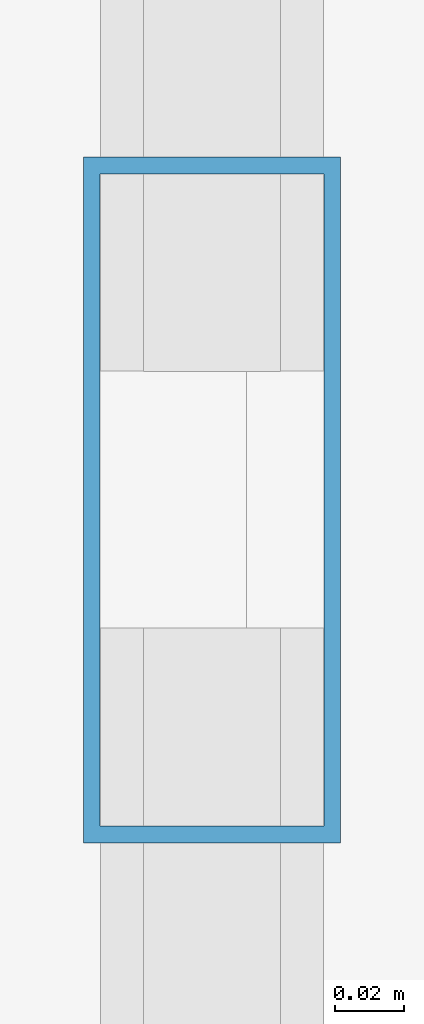
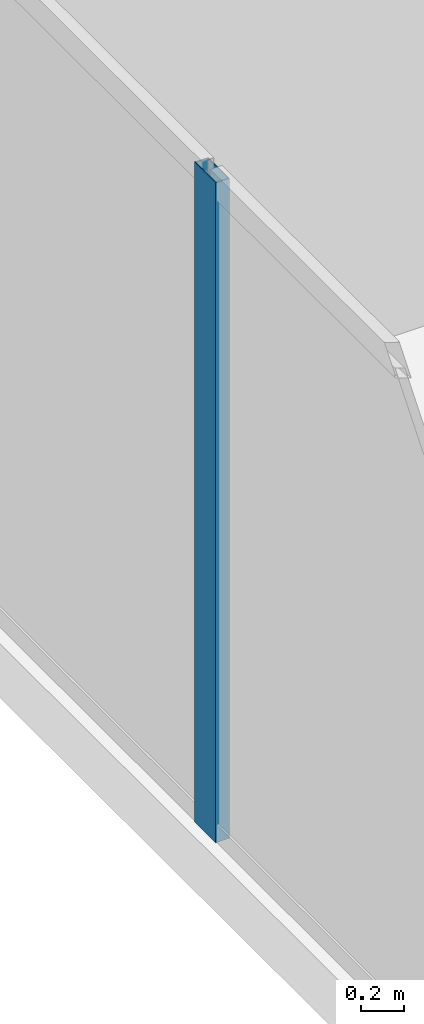
# One storey, part 8 of 34: 1 member, 1 element without a shape of its own.
"""IFC4 building model written with IfcOpenShell, lengths in metres."""

from ifc_helpers import new_model, si_unit, direction, frame, origin, origin_2d, place, context, subcontext, project, spatial, hollow_rectangle, extrude, source, transform, mapped, material, layer, layer_set, material_profile, profile_set, type_object, type_shapes, element, aggregate, save


model = new_model("IFC4")

# Units and contexts
model_context = context("Model", 3, precision=1e-05, world=origin(), true_north=direction((0.0, 1.0)))
body_context = subcontext(model_context, "Body", "Model", "MODEL_VIEW")
ifc_project = project(units=[si_unit("LENGTHUNIT", "METRE"), si_unit("AREAUNIT", "SQUARE_METRE"), si_unit("VOLUMEUNIT", "CUBIC_METRE"), si_unit("PLANEANGLEUNIT", "RADIAN"), si_unit("MASSUNIT", "GRAM", prefix="KILO")], contexts=[model_context])

# Site, building, storey
site_placement = place(None, origin())
site = spatial("IfcSite", under=ifc_project, at=site_placement, CompositionType="ELEMENT")
building_placement = place(site_placement, origin())
building = spatial("IfcBuilding", under=site, at=building_placement, Name="Haelvirn Gate Laboratories", CompositionType="ELEMENT")
storey_placement = place(building_placement, frame((0.0, 0.0, 109.199951171875)))
storey = spatial("IfcBuildingStorey", under=building, at=storey_placement, Name="L26", CompositionType="ELEMENT", Elevation=109.199951171875)

# Curtain wall, member
ifc_material_1 = material(Name="Anodised bronze unitised aluminium & triple low-E glass", Category="aluminium")
ifc_layer = layer(ifc_material_1, 0.179931640625, Name="CW-SYS-3")
ifc_layer_set = layer_set([ifc_layer], Name="Anodised bronze unitised aluminium & triple low-E glass")
curtain_wall_type = type_object("IfcCurtainWallType", Name="CW-SYS-3", PredefinedType="NOTDEFINED", material=ifc_layer_set)
curtain_wall_placement = place(storey_placement, origin())
curtain_wall = element("IfcCurtainWall", 1, at=curtain_wall_placement, inside=storey, type_object=curtain_wall_type, Name="L26 Unitised Curtain Wall CW-L26-P0-E17", PredefinedType="NOTDEFINED")
ifc_material_2 = material(Name="Extruded aluminium 6063-T6 (anodised bronze)", Category="aluminium")
ifc_material_profile = material_profile(ifc_material_2, hollow_rectangle(XDim=0.074951171875, YDim=0.199951171875, WallThickness=0.0048828125, at=origin_2d()), Name="CWM-200x75x5")
ifc_profile_set = profile_set([ifc_material_profile], Name="Extruded aluminium 6063-T6 (anodised bronze)")
member_type = type_object("IfcMemberType", Name="CWM-T200", PredefinedType="MULLION", material=ifc_profile_set)
shared_shape = source(origin(), body_context, "Body", "SweptSolid", [
    extrude(hollow_rectangle(XDim=0.074951171875, YDim=0.199951171875, WallThickness=0.0048828125, at=origin_2d()), origin(), (0.0, 0.0, 1.0), 3.7900390625),
])
type_shapes(member_type, [shared_shape])
member_placement = place(storey_placement, frame((2.10009765625, 30.966552734375, 0.0), z_axis=(0.0, 0.0, 1.0), x_axis=(1.0, 0.0, 0.0)))
member = element("IfcMember", 2, at=member_placement, type_object=member_type, Name="CW3 mullion 2", PredefinedType="MULLION", context=body_context, shape_type="MappedRepresentation", body=[
    mapped(shared_shape, transform((0.0, 0.0, 0.0), scale=1.0)),
])
aggregate(curtain_wall, [member])

save(model, "model.ifc")
